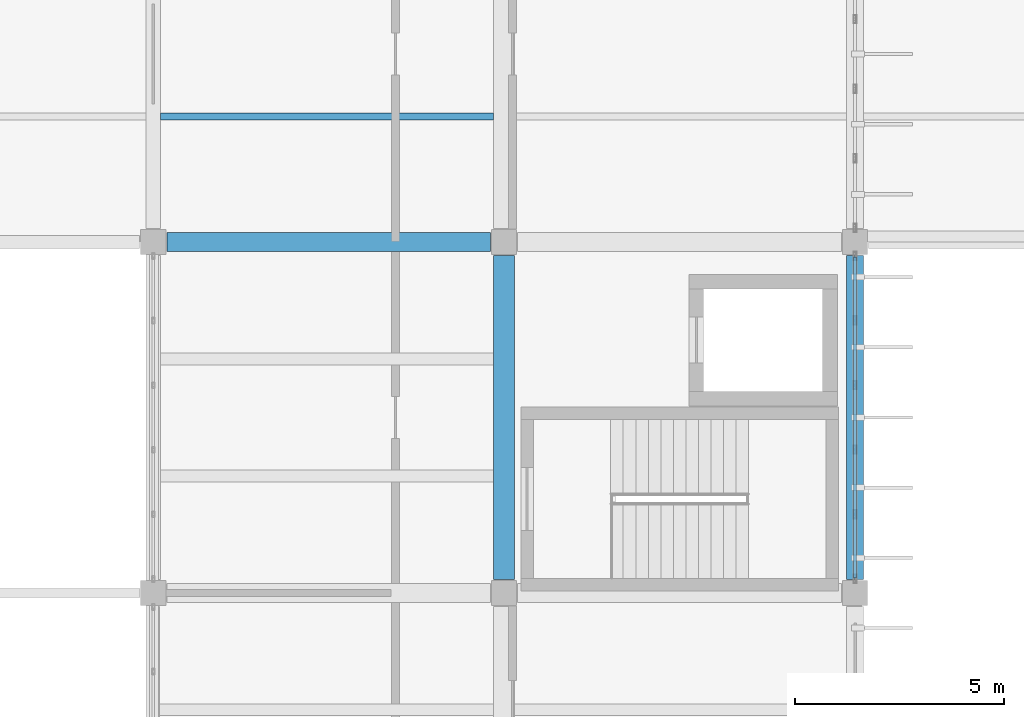
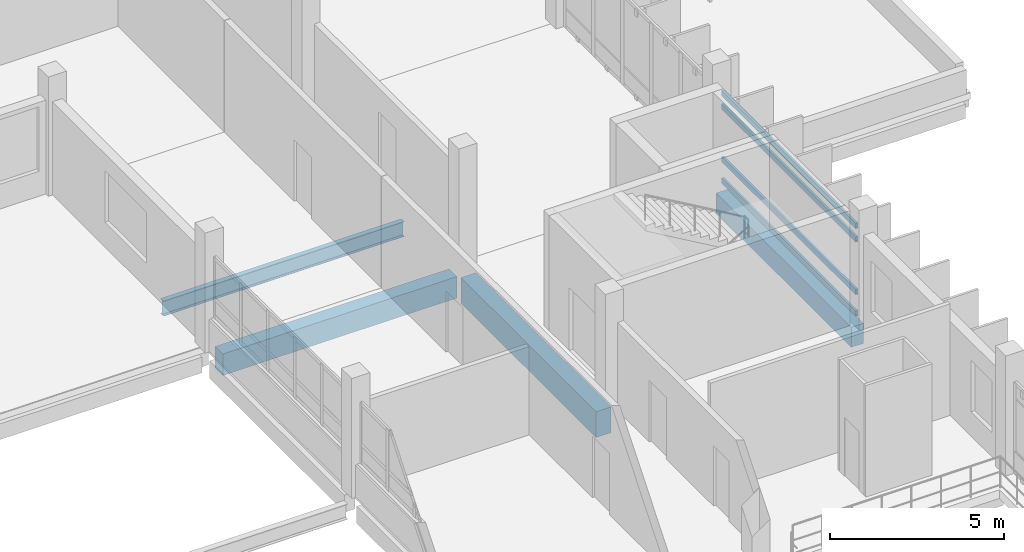
# One storey, part 73 of 130: 4 beams, 4 members, 1 element without a shape of its own.
"""IFC4 building model written with IfcOpenShell, lengths in metres."""

from ifc_helpers import new_model, si_unit, direction, frame, origin, origin_2d, place, context, subcontext, project, spatial, rectangle, hollow_rectangle, i_section, extrude, material, layer, layer_set, material_profile, profile_set, type_object, element, aggregate, save


model = new_model("IFC4")

# Units and contexts
model_context = context("Model", 3, precision=1e-05, world=origin(), true_north=direction((0.0, 1.0)))
body_context = subcontext(model_context, "Body", "Model", "MODEL_VIEW")
ifc_project = project(units=[si_unit("LENGTHUNIT", "METRE"), si_unit("AREAUNIT", "SQUARE_METRE"), si_unit("VOLUMEUNIT", "CUBIC_METRE"), si_unit("PLANEANGLEUNIT", "RADIAN"), si_unit("MASSUNIT", "GRAM", prefix="KILO")], contexts=[model_context])

# Site, building, storey
site_placement = place(None, origin())
site = spatial("IfcSite", under=ifc_project, at=site_placement, CompositionType="ELEMENT")
building_placement = place(site_placement, origin())
building = spatial("IfcBuilding", under=site, at=building_placement, Name="Vireocrest Preparatory School", CompositionType="ELEMENT")
storey_placement = place(building_placement, frame((0.0, 0.0, 9.0)))
storey = spatial("IfcBuildingStorey", under=building, at=storey_placement, Name="L02", CompositionType="ELEMENT", Elevation=9.0)

# Curtain wall, members
ifc_material_1 = material(Name="Thermally broken aluminium EN AW-6063-T6", Category="aluminium")
ifc_layer = layer(ifc_material_1, 0.179931640625)
ifc_layer_set = layer_set([ifc_layer], Name="Thermally broken aluminium EN AW-6063-T6")
curtain_wall_type = type_object("IfcCurtainWallType", Name="Teaching Fin Curtain Wall 8400x4200", PredefinedType="USERDEFINED", material=ifc_layer_set)
curtain_wall_placement = place(storey_placement, origin())
curtain_wall = element("IfcCurtainWall", 1, at=curtain_wall_placement, inside=storey, type_object=curtain_wall_type, Name="Curtain Wall CW03 CW_L02_CW03_1092_0777_090", ObjectType="CURTAIN WALL", PredefinedType="USERDEFINED")
ifc_material_profile_1 = material_profile(ifc_material_1, hollow_rectangle(XDim=0.074951171875, YDim=0.18994140625, WallThickness=0.00390625, at=origin_2d()), Name="ALU 75x190x4")
ifc_profile_set_1 = profile_set([ifc_material_profile_1], Name="Thermally broken aluminium EN AW-6063-T6")
member_type = type_object("IfcMemberType", Name="CW Transom 75x190x4", PredefinedType="USERDEFINED", material=ifc_profile_set_1)
member_1_placement = place(storey_placement, frame((109.199951171875, 77.760009765625, 0.094970703125), z_axis=(0.0, 1.0, 0.0), x_axis=(-1.0, 0.0, 0.0)))
member_1 = element("IfcMember", 2, at=member_1_placement, type_object=member_type, Name="CW Transom TR3 CW_L02_CW03_1092_0777_090-1", ObjectType="TRANSOM", PredefinedType="USERDEFINED", context=body_context, shape_type="SweptSolid", body=[
    extrude(hollow_rectangle(XDim=0.074951171875, YDim=0.18994140625, WallThickness=0.00390625, at=origin_2d()), origin(), (0.0, 0.0, 1.0), 7.679931640625),
])
member_2_placement = place(storey_placement, frame((109.199951171875, 77.760009765625, 0.85009765625), z_axis=(0.0, 1.0, 0.0), x_axis=(-1.0, 0.0, 0.0)))
member_2 = element("IfcMember", 3, at=member_2_placement, type_object=member_type, Name="CW Transom TR3 CW_L02_CW03_1092_0777_090-2", ObjectType="TRANSOM", PredefinedType="USERDEFINED", context=body_context, shape_type="SweptSolid", body=[
    extrude(hollow_rectangle(XDim=0.074951171875, YDim=0.18994140625, WallThickness=0.00390625, at=origin_2d()), origin(), (0.0, 0.0, 1.0), 7.679931640625),
])
member_3_placement = place(storey_placement, frame((109.199951171875, 77.760009765625, 2.68994140625), z_axis=(0.0, 1.0, 0.0), x_axis=(-1.0, 0.0, 0.0)))
member_3 = element("IfcMember", 4, at=member_3_placement, type_object=member_type, Name="CW Transom TR3 CW_L02_CW03_1092_0777_090-3", ObjectType="TRANSOM", PredefinedType="USERDEFINED", context=body_context, shape_type="SweptSolid", body=[
    extrude(hollow_rectangle(XDim=0.074951171875, YDim=0.18994140625, WallThickness=0.00390625, at=origin_2d()), origin(), (0.0, 0.0, 1.0), 7.679931640625),
])
member_4_placement = place(storey_placement, frame((109.199951171875, 77.760009765625, 3.1650390625), z_axis=(0.0, 1.0, 0.0), x_axis=(-1.0, 0.0, 0.0)))
member_4 = element("IfcMember", 5, at=member_4_placement, type_object=member_type, Name="CW Transom TR3 CW_L02_CW03_1092_0777_090-4", ObjectType="TRANSOM", PredefinedType="USERDEFINED", context=body_context, shape_type="SweptSolid", body=[
    extrude(hollow_rectangle(XDim=0.074951171875, YDim=0.18994140625, WallThickness=0.00390625, at=origin_2d()), origin(), (0.0, 0.0, 1.0), 7.679931640625),
])
aggregate(curtain_wall, [member_1, member_2, member_3, member_4])

# Beams
ifc_material_2 = material(Name="Structural steel ASTM A992 Grade 50", Category="steel")
ifc_material_profile_2 = material_profile(ifc_material_2, i_section(OverallWidth=0.166015625, OverallDepth=0.529052734375, WebThickness=0.009765625, FlangeThickness=0.013671875, FilletRadius=0.014892578125, at=origin_2d()), Name="W21X50")
ifc_profile_set_2 = profile_set([ifc_material_profile_2], Name="Structural steel ASTM A992 Grade 50")
beam_type_1 = type_object("IfcBeamType", Name="Pavilion Roof Joist W21X50", PredefinedType="JOIST", material=ifc_profile_set_2)
beam_1_placement = place(storey_placement, frame((92.574951171875, 88.800048828125, -0.564453125), z_axis=(1.0, 0.0, 0.0), x_axis=(0.0, 1.0, 0.0)))
element("IfcBeam", 6, at=beam_1_placement, inside=storey, type_object=beam_type_1, Name="Secondary Joist SJ1 L02-0982", PredefinedType="JOIST", context=body_context, shape_type="SweptSolid", body=[
    extrude(i_section(OverallWidth=0.166015625, OverallDepth=0.529052734375, WebThickness=0.009765625, FlangeThickness=0.013671875, FilletRadius=0.014892578125, at=origin_2d()), origin(), (0.0, 0.0, 1.0), 7.97509765625),
])
ifc_material_3 = material(Name="Concrete 40 MPa", Category="concrete")
ifc_material_profile_3 = material_profile(ifc_material_3, rectangle(XDim=0.39990234375, YDim=0.699951171875, at=origin_2d()), Name="RC 400x700")
ifc_profile_set_3 = profile_set([ifc_material_profile_3], Name="Concrete 40 MPa")
beam_type_2 = type_object("IfcBeamType", Name="RC Corridor Girder 400x700", PredefinedType="BEAM", material=ifc_profile_set_3)
beam_2_placement = place(storey_placement, frame((109.199951171875, 77.72509765625, -0.64990234375), z_axis=(0.0, 1.0, 0.0), x_axis=(-1.0, 0.0, 0.0)))
element("IfcBeam", 7, at=beam_2_placement, inside=storey, type_object=beam_type_2, Name="Primary Girder B08 L02-0865", PredefinedType="BEAM", context=body_context, shape_type="SweptSolid", body=[
    extrude(rectangle(XDim=0.39990234375, YDim=0.699951171875, at=origin_2d()), origin(), (0.0, 0.0, 1.0), 7.75),
])
ifc_material_profile_4 = material_profile(ifc_material_3, rectangle(XDim=0.449951171875, YDim=0.75, at=origin_2d()), Name="RC 450x750")
ifc_profile_set_4 = profile_set([ifc_material_profile_4], Name="Concrete 40 MPa")
beam_type_3 = type_object("IfcBeamType", Name="RC Library Stack Girder 450x750", PredefinedType="BEAM", material=ifc_profile_set_4)
beam_3_placement = place(storey_placement, frame((92.72509765625, 85.800048828125, -0.675048828125), z_axis=(1.0, 0.0, 0.0), x_axis=(0.0, 1.0, 0.0)))
element("IfcBeam", 8, at=beam_3_placement, inside=storey, type_object=beam_type_3, Name="Primary Girder B11 L02-0753", PredefinedType="BEAM", context=body_context, shape_type="SweptSolid", body=[
    extrude(rectangle(XDim=0.449951171875, YDim=0.75, at=origin_2d()), origin(), (0.0, 0.0, 1.0), 7.75),
])
ifc_material_profile_5 = material_profile(ifc_material_3, rectangle(XDim=0.5, YDim=0.89990234375, at=origin_2d()), Name="RC 500x900")
ifc_profile_set_5 = profile_set([ifc_material_profile_5], Name="Concrete 40 MPa")
beam_type_4 = type_object("IfcBeamType", Name="RC Podium Girder 500x900", PredefinedType="BEAM", material=ifc_profile_set_5)
beam_4_placement = place(storey_placement, frame((100.800048828125, 77.72509765625, -0.75), z_axis=(0.0, 1.0, 0.0), x_axis=(-1.0, 0.0, 0.0)))
element("IfcBeam", 9, at=beam_4_placement, inside=storey, type_object=beam_type_4, Name="Primary Girder B15 L02-0854", PredefinedType="BEAM", context=body_context, shape_type="SweptSolid", body=[
    extrude(rectangle(XDim=0.5, YDim=0.89990234375, at=origin_2d()), origin(), (0.0, 0.0, 1.0), 7.75),
])

save(model, "model.ifc")
